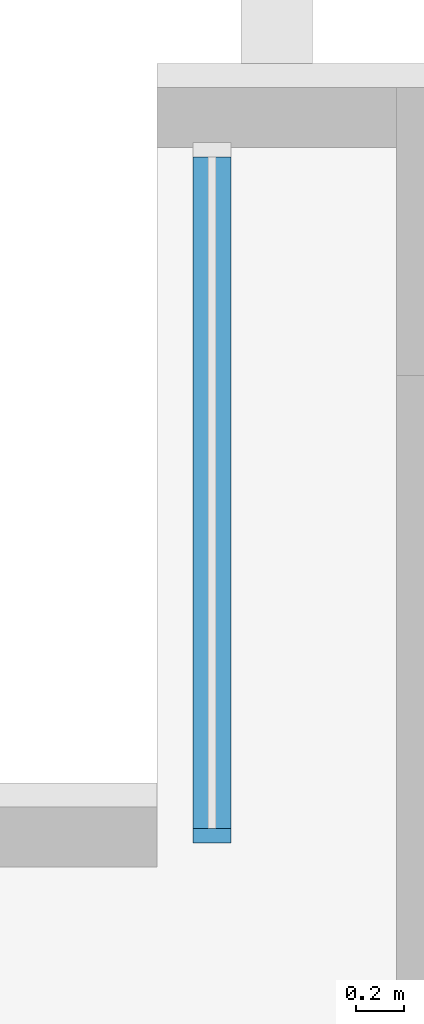
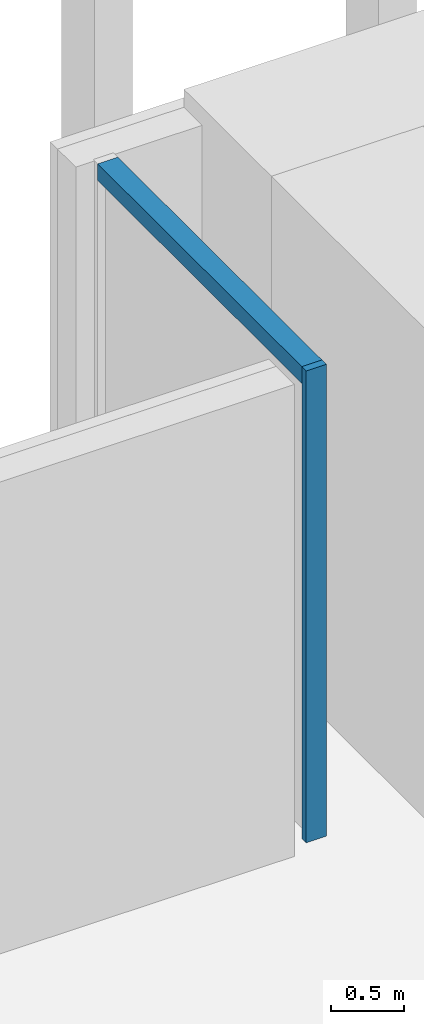
# One storey, part 16 of 33: 2 members, 1 element without a shape of its own.
"""IFC4 building model written with IfcOpenShell, lengths in metres."""

from ifc_helpers import new_model, si_unit, direction, frame, origin, origin_2d, place, context, subcontext, project, spatial, rectangle, extrude, material, material_profile, profile_set, type_object, element, aggregate, save


model = new_model("IFC4")

# Units and contexts
model_context = context("Model", 3, precision=1e-05, world=origin(), true_north=direction((0.0, 1.0)))
body_context = subcontext(model_context, "Body", "Model", "MODEL_VIEW")
ifc_project = project(units=[si_unit("LENGTHUNIT", "METRE"), si_unit("AREAUNIT", "SQUARE_METRE"), si_unit("VOLUMEUNIT", "CUBIC_METRE"), si_unit("PLANEANGLEUNIT", "RADIAN"), si_unit("MASSUNIT", "GRAM", prefix="KILO")], contexts=[model_context])

# Site, building, storey
site_placement = place(None, origin())
site = spatial("IfcSite", under=ifc_project, at=site_placement, CompositionType="ELEMENT")
building_placement = place(site_placement, origin())
building = spatial("IfcBuilding", under=site, at=building_placement, Name="Bicima Exchange Tower", CompositionType="ELEMENT")
storey_placement = place(building_placement, frame((0.0, 0.0, 140.39990234375)))
storey = spatial("IfcBuildingStorey", under=building, at=storey_placement, Name="L30", CompositionType="ELEMENT", Elevation=140.39990234375)

# Curtain wall, members
ifc_material = material(Name="Anodised bronze aluminium", Category="aluminium")
curtain_wall_type = type_object("IfcCurtainWallType", Name="Front glass wall", PredefinedType="NOTDEFINED", material=ifc_material)
curtain_wall_placement = place(storey_placement, origin())
curtain_wall = element("IfcCurtainWall", 1, at=curtain_wall_placement, inside=storey, type_object=curtain_wall_type, Name="Front glass wall L30 run 4", PredefinedType="NOTDEFINED")
ifc_material_profile_1 = material_profile(ifc_material, rectangle(XDim=0.159912109375, YDim=0.06005859375, at=origin_2d()))
ifc_profile_set_1 = profile_set([ifc_material_profile_1], Name="Anodised bronze aluminium")
member_type_1 = type_object("IfcMemberType", Name="Front glass wall mullion 60 x 160", PredefinedType="MULLION", material=ifc_profile_set_1)
member_1_placement = place(storey_placement, frame((-22.77001953125, -3.1201171875, 0.0), z_axis=(0.0, 0.0, 1.0), x_axis=(1.0, 0.0, 0.0)))
member_1 = element("IfcMember", 2, at=member_1_placement, type_object=member_type_1, Name="Front glass wall mullion 2", PredefinedType="MULLION", context=body_context, shape_type="SweptSolid", body=[
    extrude(rectangle(XDim=0.159912109375, YDim=0.06005859375, at=origin_2d()), origin(), (0.0, 0.0, 1.0), 3.9501953125),
])
ifc_material_profile_2 = material_profile(ifc_material, rectangle(XDim=0.159912109375, YDim=0.139892578125, at=origin_2d()))
ifc_profile_set_2 = profile_set([ifc_material_profile_2], Name="Anodised bronze aluminium")
member_type_2 = type_object("IfcMemberType", Name="Front glass wall transom 140 x 160", PredefinedType="USERDEFINED", material=ifc_profile_set_2)
member_2_placement = place(storey_placement, frame((-22.77001953125, -0.2900390625, 3.880126953125), z_axis=(0.0, -1.0, 0.0), x_axis=(1.0, 0.0, 0.0)))
member_2 = element("IfcMember", 3, at=member_2_placement, type_object=member_type_2, Name="Front glass wall transom 1.1", ObjectType="TRANSOM", PredefinedType="USERDEFINED", context=body_context, shape_type="SweptSolid", body=[
    extrude(rectangle(XDim=0.159912109375, YDim=0.139892578125, at=origin_2d()), origin(), (0.0, 0.0, 1.0), 2.800048828125),
])
aggregate(curtain_wall, [member_1, member_2])

save(model, "model.ifc")
